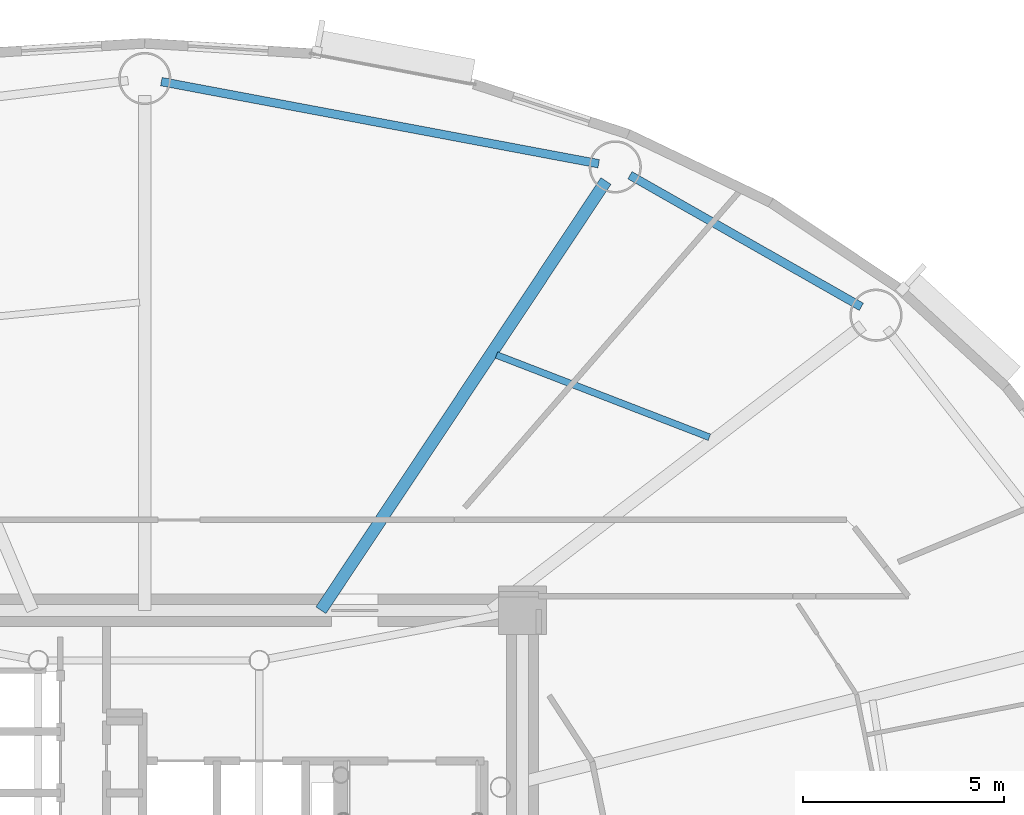
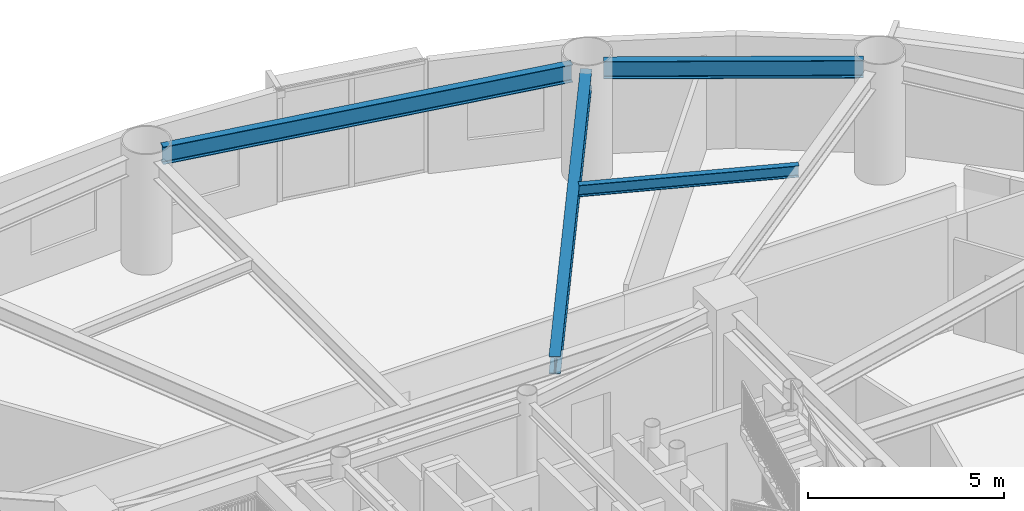
# One storey, part 5 of 18: 4 beams.
"""IFC4 building model written with IfcOpenShell, lengths in metres."""

from ifc_helpers import new_model, si_unit, direction, frame, origin, origin_2d, place, context, subcontext, project, spatial, i_section, extrude, material, material_profile, profile_set, type_object, element, save


model = new_model("IFC4")

# Units and contexts
model_context = context("Model", 3, precision=1e-05, world=origin(), true_north=direction((0.0, 1.0)))
body_context = subcontext(model_context, "Body", "Model", "MODEL_VIEW")
ifc_project = project(units=[si_unit("LENGTHUNIT", "METRE"), si_unit("AREAUNIT", "SQUARE_METRE"), si_unit("VOLUMEUNIT", "CUBIC_METRE"), si_unit("PLANEANGLEUNIT", "RADIAN"), si_unit("MASSUNIT", "GRAM", prefix="KILO")], contexts=[model_context])

# Site, building, storey
site_placement = place(None, origin())
site = spatial("IfcSite", under=ifc_project, at=site_placement, CompositionType="ELEMENT")
building_placement = place(site_placement, origin())
building = spatial("IfcBuilding", under=site, at=building_placement, Name="Linh Dai School and Residence Tower", CompositionType="ELEMENT")
storey_placement = place(building_placement, frame((0.0, 0.0, 167.39990234375)))
storey = spatial("IfcBuildingStorey", under=building, at=storey_placement, Name="L40", CompositionType="ELEMENT", Elevation=167.39990234375)

# Beams
ifc_material = material(Name="Structural Steel S355JR", Category="steel")
ifc_material_profile_1 = material_profile(ifc_material, i_section(OverallWidth=0.2099609375, OverallDepth=0.550048828125, WebThickness=0.010986328125, FlangeThickness=0.01708984375, FilletRadius=0.02392578125, at=origin_2d()), Name="IPE 550")
ifc_profile_set_1 = profile_set([ifc_material_profile_1], Name="Structural Steel S355JR")
beam_type_1 = type_object("IfcBeamType", Name="BM-RB55", PredefinedType="BEAM", material=ifc_profile_set_1)
beam_1_placement = place(storey_placement, frame((53.827392578125, 41.1494140625, 3.22509765625), z_axis=(-0.869262164011, 0.49435138335, 0.0), x_axis=(-0.49435138335, -0.869262164011, 0.0)))
element("IfcBeam", 1, at=beam_1_placement, inside=storey, type_object=beam_type_1, Name="L40 Perimeter Elliptical Ring Beam 03", PredefinedType="BEAM", context=body_context, shape_type="SweptSolid", body=[
    extrude(i_section(OverallWidth=0.2099609375, OverallDepth=0.550048828125, WebThickness=0.010986328125, FlangeThickness=0.01708984375, FilletRadius=0.02392578125, at=origin_2d()), origin(), (0.0, 0.0, 1.0), 6.62255859375),
])
beam_2_placement = place(storey_placement, frame((47.292724609375, 44.70849609375, 3.22509765625), z_axis=(-0.98280721278, 0.184634727255, 0.0), x_axis=(-0.184634727255, -0.98280721278, 0.0)))
element("IfcBeam", 2, at=beam_2_placement, inside=storey, type_object=beam_type_1, Name="L40 Perimeter Elliptical Ring Beam 04", PredefinedType="BEAM", context=body_context, shape_type="SweptSolid", body=[
    extrude(i_section(OverallWidth=0.2099609375, OverallDepth=0.550048828125, WebThickness=0.010986328125, FlangeThickness=0.01708984375, FilletRadius=0.02392578125, at=origin_2d()), origin(), (0.0, 0.0, 1.0), 11.0703125),
])
ifc_material_profile_2 = material_profile(ifc_material, i_section(OverallWidth=0.300048828125, OverallDepth=0.550048828125, WebThickness=0.014892578125, FlangeThickness=0.029052734375, FilletRadius=0.027099609375, at=origin_2d()), Name="HEB 550")
ifc_profile_set_2 = profile_set([ifc_material_profile_2], Name="Structural Steel S355JR")
beam_type_2 = type_object("IfcBeamType", Name="BM-RG55", PredefinedType="BEAM", material=ifc_profile_set_2)
beam_3_placement = place(storey_placement, frame((40.3818359375, 33.60009765625, 3.22509765625), z_axis=(0.553117176317, 0.833103468522, 0.0), x_axis=(-0.833103468522, 0.553117176317, 0.0)))
element("IfcBeam", 3, at=beam_3_placement, inside=storey, type_object=beam_type_2, Name="L40 Primary Radial Floor Girder 04", PredefinedType="BEAM", context=body_context, shape_type="SweptSolid", body=[
    extrude(i_section(OverallWidth=0.300048828125, OverallDepth=0.550048828125, WebThickness=0.014892578125, FlangeThickness=0.029052734375, FilletRadius=0.027099609375, at=origin_2d()), origin(), (0.0, 0.0, 1.0), 12.820556640625),
])
ifc_material_profile_3 = material_profile(ifc_material, i_section(OverallWidth=0.169921875, OverallDepth=0.360107421875, WebThickness=0.008056640625, FlangeThickness=0.0126953125, FilletRadius=0.01806640625, at=origin_2d()), Name="IPE 360")
ifc_profile_set_3 = profile_set([ifc_material_profile_3], Name="Structural Steel S355JR")
beam_type_3 = type_object("IfcBeamType", Name="BM-SB36", PredefinedType="BEAM", material=ifc_profile_set_3)
beam_4_placement = place(storey_placement, frame((50.047607421875, 37.905029296875, 3.320068359375), z_axis=(-0.932814887644, 0.360355914881, 0.0), x_axis=(-0.360355914881, -0.932814887644, 0.0)))
element("IfcBeam", 4, at=beam_4_placement, inside=storey, type_object=beam_type_3, Name="L40 Secondary Circumferential Floor Beam 02", PredefinedType="BEAM", context=body_context, shape_type="SweptSolid", body=[
    extrude(i_section(OverallWidth=0.169921875, OverallDepth=0.360107421875, WebThickness=0.008056640625, FlangeThickness=0.0126953125, FilletRadius=0.01806640625, at=origin_2d()), origin(), (0.0, 0.0, 1.0), 5.67822265625),
])

save(model, "model.ifc")
